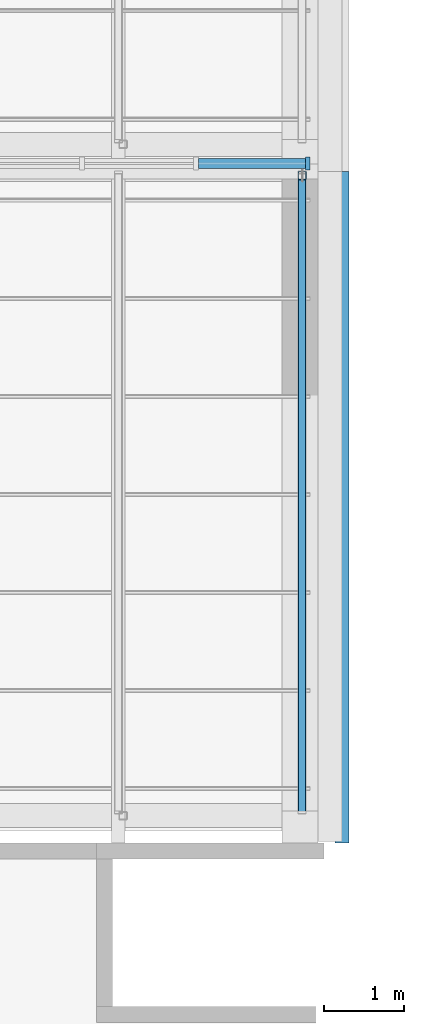
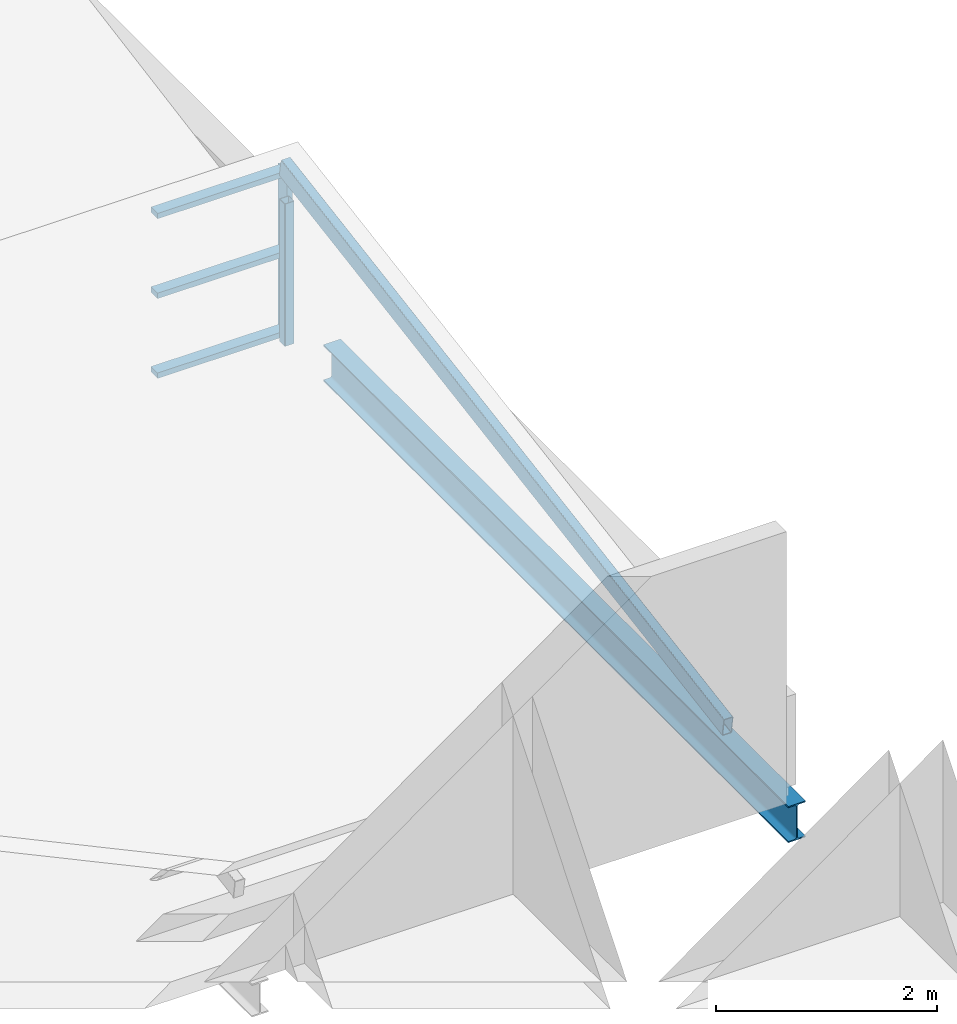
# One storey, part 15 of 33: 6 members, 1 beam, 1 element without a shape of its own.
"""IFC4 building model written with IfcOpenShell, lengths in metres."""

from ifc_helpers import new_model, si_unit, direction, frame, origin, origin_2d, place, context, subcontext, project, spatial, rectangle, hollow_rectangle, i_section, extrude, material, layer, layer_set, material_profile, profile_set, type_object, element, aggregate, save


model = new_model("IFC4")

# Units and contexts
model_context = context("Model", 3, precision=1e-05, world=origin(), true_north=direction((0.0, 1.0)))
body_context = subcontext(model_context, "Body", "Model", "MODEL_VIEW")
ifc_project = project(units=[si_unit("LENGTHUNIT", "METRE"), si_unit("AREAUNIT", "SQUARE_METRE"), si_unit("VOLUMEUNIT", "CUBIC_METRE"), si_unit("PLANEANGLEUNIT", "RADIAN"), si_unit("MASSUNIT", "GRAM", prefix="KILO")], contexts=[model_context])

# Site, building, storey
site_placement = place(None, origin())
site = spatial("IfcSite", under=ifc_project, at=site_placement, CompositionType="ELEMENT")
building_placement = place(site_placement, origin())
building = spatial("IfcBuilding", under=site, at=building_placement, Name="Ardhachandra Cancer Care Centre", CompositionType="ELEMENT")
storey_placement = place(building_placement, frame((0.0, 0.0, 27.0)))
storey = spatial("IfcBuildingStorey", under=building, at=storey_placement, Name="Roof", CompositionType="ELEMENT", Elevation=27.0)

# Beam
ifc_material_1 = material(Name="Steel E350 (IS 2062)", Category="steel")
ifc_material_profile_1 = material_profile(ifc_material_1, i_section(OverallWidth=0.179931640625, OverallDepth=0.39990234375, WebThickness=0.008544921875, FlangeThickness=0.013427734375, FilletRadius=0.02099609375, at=origin_2d()), Name="NPB 400x180x66.30")
ifc_profile_set_1 = profile_set([ifc_material_profile_1], Name="Steel E350 (IS 2062)")
beam_type = type_object("IfcBeamType", Name="Beam NPB 400x180x66.30", PredefinedType="BEAM", material=ifc_profile_set_1)
beam_placement = place(storey_placement, frame((145.199951171875, 88.199951171875, -0.39990234375), z_axis=(0.0, 1.0, 0.0), x_axis=(-1.0, 0.0, 0.0)))
element("IfcBeam", 1, at=beam_placement, inside=storey, type_object=beam_type, Name="Edge girder K17-L17", PredefinedType="BEAM", context=body_context, shape_type="SweptSolid", body=[
    extrude(i_section(OverallWidth=0.179931640625, OverallDepth=0.39990234375, WebThickness=0.008544921875, FlangeThickness=0.013427734375, FilletRadius=0.02099609375, at=origin_2d()), origin(), (0.0, 0.0, 1.0), 8.400146484375),
])

# Curtain wall, members
ifc_material_2 = material(Name="Aluminium extrusion", Category="aluminium")
ifc_layer = layer(ifc_material_2, 0.14990234375)
ifc_layer_set = layer_set([ifc_layer], Name="Aluminium extrusion")
curtain_wall_type = type_object("IfcCurtainWallType", Name="Curtain wall run", PredefinedType="NOTDEFINED", material=ifc_layer_set)
curtain_wall_placement = place(storey_placement, origin())
curtain_wall = element("IfcCurtainWall", 2, at=curtain_wall_placement, inside=storey, type_object=curtain_wall_type, Name="Curtain wall Roof n/0112000_0096700", PredefinedType="NOTDEFINED")
ifc_material_3 = material(Name="Aluminium extrusion", Category="aluminium")
ifc_material_profile_2 = material_profile(ifc_material_3, rectangle(XDim=0.159912109375, YDim=0.06005859375, at=origin_2d()), Name="Curtain wall mullion 60 x 160")
ifc_profile_set_2 = profile_set([ifc_material_profile_2], Name="Aluminium extrusion")
member_type_1 = type_object("IfcMemberType", Name="Curtain wall mullion 60 x 160", PredefinedType="MULLION", material=ifc_profile_set_2)
member_1_placement = place(storey_placement, frame((144.77001953125, 96.699951171875, 0.0), z_axis=(0.0, 0.0, 1.0), x_axis=(0.0, 1.0, 0.0)))
member_1 = element("IfcMember", 3, at=member_1_placement, type_object=member_type_1, Name="CW mullion 24", PredefinedType="MULLION", context=body_context, shape_type="SweptSolid", body=[
    extrude(rectangle(XDim=0.159912109375, YDim=0.06005859375, at=origin_2d()), origin(), (0.0, 0.0, 1.0), 1.820068359375),
])
ifc_material_4 = material(Name="Aluminium extrusion", Category="aluminium")
ifc_material_profile_3 = material_profile(ifc_material_4, rectangle(XDim=0.1201171875, YDim=0.06005859375, at=origin_2d()), Name="Curtain wall transom 60 x 120")
ifc_profile_set_3 = profile_set([ifc_material_profile_3], Name="Aluminium extrusion")
member_type_2 = type_object("IfcMemberType", Name="Curtain wall transom 60 x 120", PredefinedType="USERDEFINED", material=ifc_profile_set_3)
member_2_placement = place(storey_placement, frame((143.40380859375, 96.699951171875, 0.030029296875), z_axis=(1.0, 0.0, 0.0), x_axis=(0.0, 1.0, 0.0)))
member_2 = element("IfcMember", 4, at=member_2_placement, type_object=member_type_2, Name="CW transom 23.1", ObjectType="TRANSOM", PredefinedType="USERDEFINED", context=body_context, shape_type="SweptSolid", body=[
    extrude(rectangle(XDim=0.1201171875, YDim=0.06005859375, at=origin_2d()), origin(), (0.0, 0.0, 1.0), 1.336181640625),
])
member_3_placement = place(storey_placement, frame((143.40380859375, 96.699951171875, 0.909912109375), z_axis=(1.0, 0.0, 0.0), x_axis=(0.0, 1.0, 0.0)))
member_3 = element("IfcMember", 5, at=member_3_placement, type_object=member_type_2, Name="CW transom 23.2", ObjectType="TRANSOM", PredefinedType="USERDEFINED", context=body_context, shape_type="SweptSolid", body=[
    extrude(rectangle(XDim=0.1201171875, YDim=0.06005859375, at=origin_2d()), origin(), (0.0, 0.0, 1.0), 1.336181640625),
])
member_4_placement = place(storey_placement, frame((143.40380859375, 96.699951171875, 1.7900390625), z_axis=(1.0, 0.0, 0.0), x_axis=(0.0, 1.0, 0.0)))
member_4 = element("IfcMember", 6, at=member_4_placement, type_object=member_type_2, Name="CW transom 23.3", ObjectType="TRANSOM", PredefinedType="USERDEFINED", context=body_context, shape_type="SweptSolid", body=[
    extrude(rectangle(XDim=0.1201171875, YDim=0.06005859375, at=origin_2d()), origin(), (0.0, 0.0, 1.0), 1.336181640625),
])
aggregate(curtain_wall, [member_1, member_2, member_3, member_4])

# Members
ifc_material_5 = material(Name="Steel E350 (IS 2062)", Category="steel")
ifc_material_profile_4 = material_profile(ifc_material_5, hollow_rectangle(XDim=0.10009765625, YDim=0.199951171875, WallThickness=0.006103515625, InnerFilletRadius=0.006103515625, OuterFilletRadius=0.011962890625, at=origin_2d()), Name="RHS 200x100x6.0")
ifc_profile_set_4 = profile_set([ifc_material_profile_4], Name="Steel E350 (IS 2062)")
member_type_3 = type_object("IfcMemberType", Name="Roof rafter RHS 200x100x6.0", PredefinedType="RAFTER", material=ifc_profile_set_4)
member_5_placement = place(storey_placement, frame((144.699951171875, 88.583740234375, 0.5986328125), z_axis=(0.0, 0.986657936602, 0.162806990454), x_axis=(-1.0, 0.0, 0.0)))
element("IfcMember", 7, at=member_5_placement, inside=storey, type_object=member_type_3, Name="Rafter ST2a.13", PredefinedType="RAFTER", context=body_context, shape_type="SweptSolid", body=[
    extrude(hollow_rectangle(XDim=0.10009765625, YDim=0.199951171875, WallThickness=0.006103515625, InnerFilletRadius=0.006103515625, OuterFilletRadius=0.011962890625, at=origin_2d()), origin(), (0.0, 0.0, 1.0), 8.108154296875),
])
ifc_material_6 = material(Name="Steel E350 (IS 2062)", Category="steel")
ifc_material_profile_5 = material_profile(ifc_material_6, hollow_rectangle(XDim=0.10009765625, YDim=0.10009765625, WallThickness=0.0048828125, InnerFilletRadius=0.0048828125, OuterFilletRadius=0.010009765625, at=origin_2d()), Name="SHS 100x100x5.0")
ifc_profile_set_5 = profile_set([ifc_material_profile_5], Name="Steel E350 (IS 2062)")
member_type_4 = type_object("IfcMemberType", Name="Sawtooth ridge post SHS 100x100x5.0", PredefinedType="POST", material=ifc_profile_set_5)
member_6_placement = place(storey_placement, frame((144.699951171875, 96.550048828125, 0.0), z_axis=(0.0, 0.0, 1.0), x_axis=(1.0, 0.0, 0.0)))
element("IfcMember", 8, at=member_6_placement, inside=storey, type_object=member_type_4, Name="Ridge post ST2a.5", PredefinedType="POST", context=body_context, shape_type="SweptSolid", body=[
    extrude(hollow_rectangle(XDim=0.10009765625, YDim=0.10009765625, WallThickness=0.0048828125, InnerFilletRadius=0.0048828125, OuterFilletRadius=0.010009765625, at=origin_2d()), origin(), (0.0, 0.0, 1.0), 1.570068359375),
])

save(model, "model.ifc")
